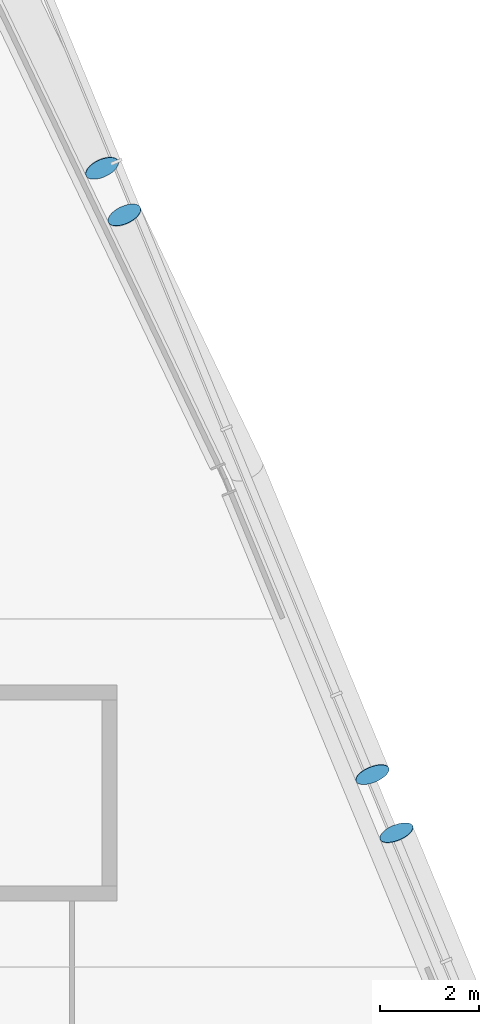
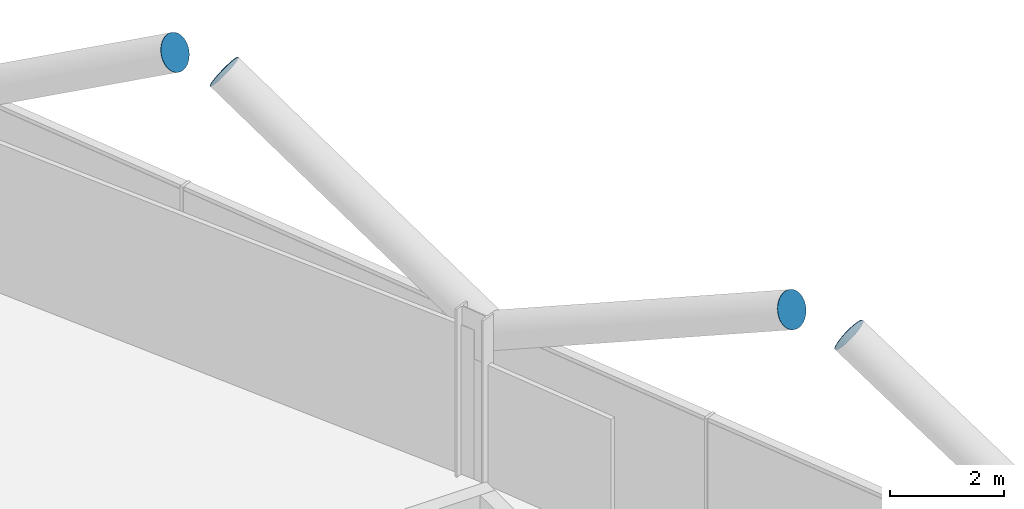
# One storey, part 26 of 29: 4 discrete accessories.
"""IFC4 building model written with IfcOpenShell, lengths in metres."""

from ifc_helpers import new_model, si_unit, direction, frame, origin, origin_2d, place, context, subcontext, project, spatial, circle, extrude, material, material_profile, profile_set, type_object, element, save


model = new_model("IFC4")

# Units and contexts
model_context = context("Model", 3, precision=1e-05, world=origin(), true_north=direction((0.0, 1.0)))
body_context = subcontext(model_context, "Body", "Model", "MODEL_VIEW")
ifc_project = project(units=[si_unit("LENGTHUNIT", "METRE"), si_unit("AREAUNIT", "SQUARE_METRE"), si_unit("VOLUMEUNIT", "CUBIC_METRE"), si_unit("PLANEANGLEUNIT", "RADIAN"), si_unit("MASSUNIT", "GRAM", prefix="KILO")], contexts=[model_context])

# Site, building, storey
site_placement = place(None, origin())
site = spatial("IfcSite", under=ifc_project, at=site_placement, CompositionType="ELEMENT")
building_placement = place(site_placement, origin())
building = spatial("IfcBuilding", under=site, at=building_placement, Name="Wharfspan Tower", CompositionType="ELEMENT")
storey_placement = place(building_placement, frame((0.0, 0.0, 162.699951)))
storey = spatial("IfcBuildingStorey", under=building, at=storey_placement, Name="L39", CompositionType="ELEMENT", Elevation=162.699951)

# Discrete accessories
ifc_material = material(Name="Steel S460NH", Category="steel")
ifc_material_profile = material_profile(ifc_material, circle(Radius=0.355469, at=origin_2d()))
ifc_profile_set = profile_set([ifc_material_profile], Name="Steel S460NH")
discrete_accessory_type = type_object("IfcDiscreteAccessoryType", Name="End plate CHS 711x36", PredefinedType="BRACKET", material=ifc_profile_set)
for number, where, z_axis, x_axis, name in (
    (1, (77.343018, 23.091309, 6.18335), (-0.341972, 0.830504, 0.439679), (-0.924678, -0.380749, -1e-06), "End plate CHS 711x36"),
    (2, (76.854248, 24.275146, 6.18335), (0.341972, -0.830504, 0.439679), (0.924678, 0.380749, -1e-06), "End plate CHS 711x36"),
    (3, (71.858154, 35.550537, 6.194336), (-0.369386, 0.788024, 0.492515), (-0.905459, -0.424433, -1e-06), "End plate CHS 711x36"),
    (4, (71.401123, 36.504395, 6.194336), (0.369386, -0.788024, 0.492515), (0.905459, 0.424433, -1e-06), "End plate CHS 711x36"),
):
    element("IfcDiscreteAccessory", number, at=place(storey_placement, frame(where, z_axis=z_axis, x_axis=x_axis)), inside=storey, type_object=discrete_accessory_type, Name=name, PredefinedType="BRACKET", context=body_context, shape_type="SweptSolid", body=[
        extrude(circle(Radius=0.355469, at=origin_2d()), origin(), (0.0, 0.0, 1.0), 0.01001),
    ])

save(model, "model.ifc")
